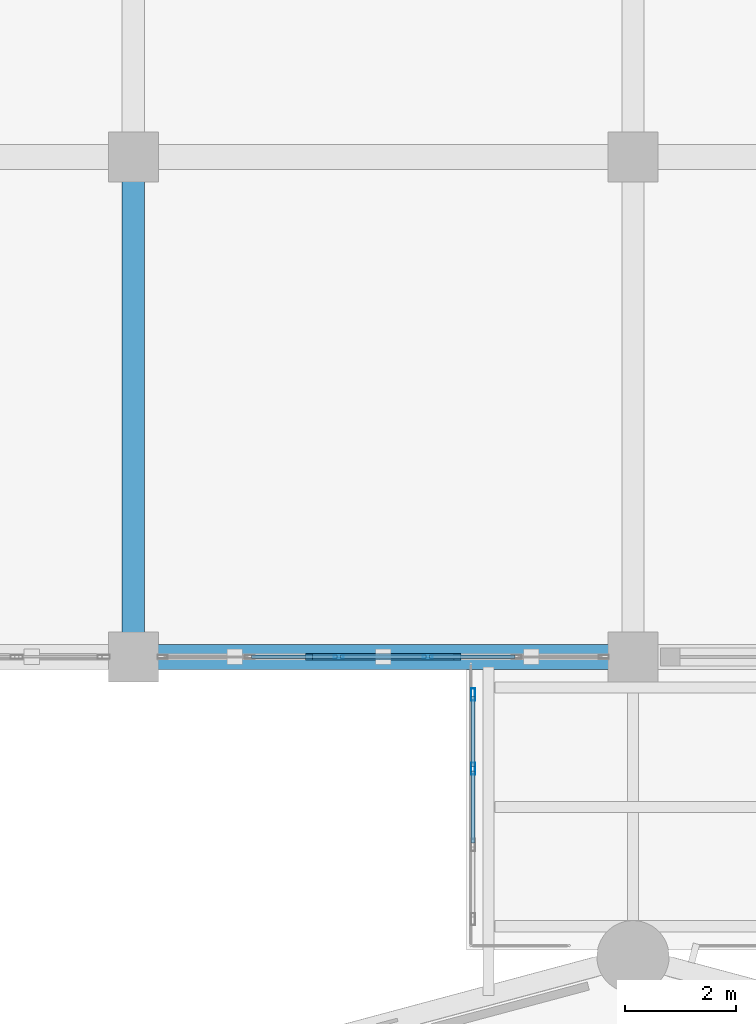
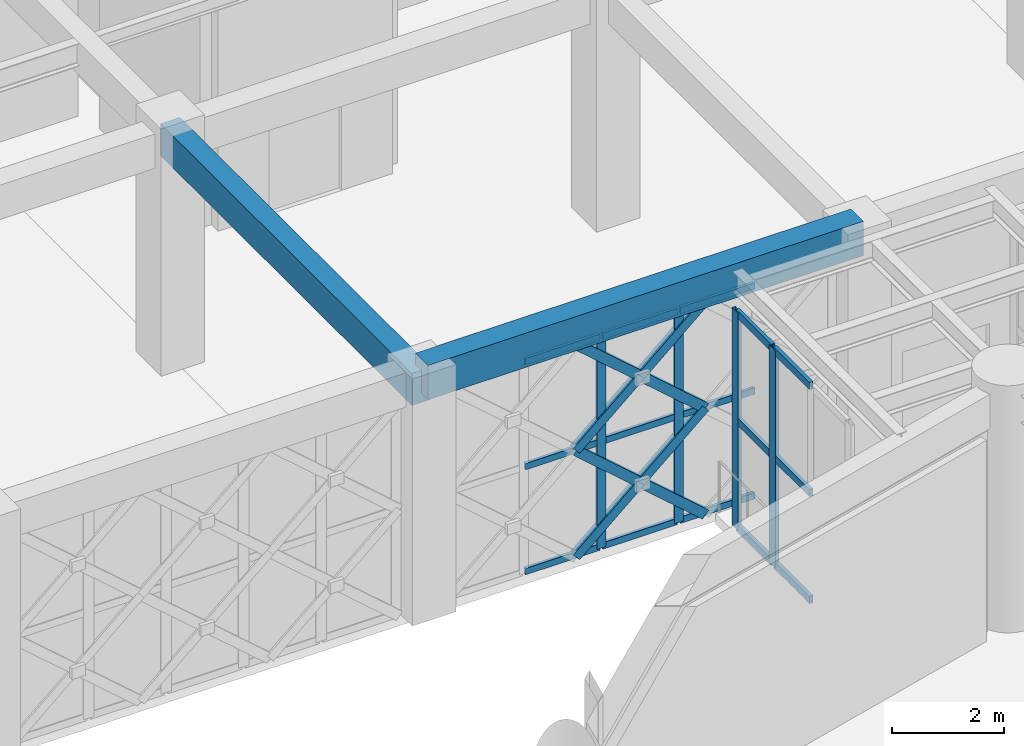
# One storey, part 71 of 155: 25 members, 2 beams, 2 elements without a shape of their own.
"""IFC4 building model written with IfcOpenShell, lengths in metres."""

from ifc_helpers import new_model, si_unit, direction, frame, origin, origin_2d, place, context, subcontext, project, spatial, rectangle, hollow_rectangle, extrude, material, material_profile, profile_set, type_object, element, aggregate, save


model = new_model("IFC4")

# Units and contexts
model_context = context("Model", 3, precision=1e-05, world=origin(), true_north=direction((0.0, 1.0)))
body_context = subcontext(model_context, "Body", "Model", "MODEL_VIEW")
ifc_project = project(units=[si_unit("LENGTHUNIT", "METRE"), si_unit("AREAUNIT", "SQUARE_METRE"), si_unit("VOLUMEUNIT", "CUBIC_METRE"), si_unit("PLANEANGLEUNIT", "RADIAN"), si_unit("MASSUNIT", "GRAM", prefix="KILO")], contexts=[model_context])

# Site, building, storey
site_placement = place(None, origin())
site = spatial("IfcSite", under=ifc_project, at=site_placement, CompositionType="ELEMENT")
building_placement = place(site_placement, origin())
building = spatial("IfcBuilding", under=site, at=building_placement, Name="Haizhuo Lancet Aquarium", CompositionType="ELEMENT")
storey_placement = place(building_placement, frame((0.0, 0.0, 10.800048828125)))
storey = spatial("IfcBuildingStorey", under=building, at=storey_placement, Name="L02", CompositionType="ELEMENT", Elevation=10.800048828125)

# Beams
ifc_material_1 = material(Name="Concrete C40/50", Category="concrete")
ifc_material_profile_1 = material_profile(ifc_material_1, rectangle(XDim=0.39990234375, YDim=0.699951171875, at=origin_2d()), Name="RC-BM 400x700")
ifc_profile_set_1 = profile_set([ifc_material_profile_1], Name="Concrete C40/50")
beam_type_1 = type_object("IfcBeamType", Name="BM-RC-400x700", PredefinedType="BEAM", material=ifc_profile_set_1)
beam_1_placement = place(storey_placement, frame((-9.0, 27.0, 4.81005859375), z_axis=(0.0, 1.0, 0.0), x_axis=(-1.0, 0.0, 0.0)))
element("IfcBeam", 1, at=beam_1_placement, inside=storey, type_object=beam_type_1, Name="L02 V5 primary girder BM-L02-V5-010", PredefinedType="BEAM", context=body_context, shape_type="SweptSolid", body=[
    extrude(rectangle(XDim=0.39990234375, YDim=0.699951171875, at=origin_2d()), origin(), (0.0, 0.0, 1.0), 9.0),
])
ifc_material_profile_2 = material_profile(ifc_material_1, rectangle(XDim=0.449951171875, YDim=0.75, at=origin_2d()), Name="RC-BM 450x750")
ifc_profile_set_2 = profile_set([ifc_material_profile_2], Name="Concrete C40/50")
beam_type_2 = type_object("IfcBeamType", Name="BM-RC-450x750", PredefinedType="BEAM", material=ifc_profile_set_2)
beam_2_placement = place(storey_placement, frame((-9.0, 27.0, 5.02490234375), z_axis=(1.0, 0.0, 0.0), x_axis=(0.0, 1.0, 0.0)))
element("IfcBeam", 2, at=beam_2_placement, inside=storey, type_object=beam_type_2, Name="L02 V5 primary girder BM-L02-V5-011", PredefinedType="BEAM", context=body_context, shape_type="SweptSolid", body=[
    extrude(rectangle(XDim=0.449951171875, YDim=0.75, at=origin_2d()), origin(), (0.0, 0.0, 1.0), 9.0),
])

# Curtain wall, members
ifc_material_2 = material(Name="Aluminium 6063-T6", Category="aluminium")
curtain_wall_type_1 = type_object("IfcCurtainWallType", Name="CWO-8010x4650", PredefinedType="NOTDEFINED", material=ifc_material_2)
curtain_wall_1_placement = place(storey_placement, origin())
curtain_wall_1 = element("IfcCurtainWall", 3, at=curtain_wall_1_placement, inside=storey, type_object=curtain_wall_type_1, Name="L02 curtain wall CW-V5-L02-157", PredefinedType="NOTDEFINED")
ifc_material_profile_3 = material_profile(ifc_material_2, hollow_rectangle(XDim=0.06494140625, YDim=0.179931640625, WallThickness=0.00390625, at=origin_2d()), Name="ALU-M 65x180x4")
ifc_profile_set_3 = profile_set([ifc_material_profile_3], Name="Aluminium 6063-T6")
member_type_1 = type_object("IfcMemberType", Name="CW-MUL-1", PredefinedType="MULLION", material=ifc_profile_set_3)
member_1_placement = place(storey_placement, frame((-3.698974609375, 27.0, 0.0), z_axis=(0.0, 0.0, 1.0), x_axis=(0.0, -1.0, 0.0)))
member_1 = element("IfcMember", 4, at=member_1_placement, type_object=member_type_1, Name="CWO-80x46 mullion 3", PredefinedType="MULLION", context=body_context, shape_type="SweptSolid", body=[
    extrude(hollow_rectangle(XDim=0.06494140625, YDim=0.179931640625, WallThickness=0.00390625, at=origin_2d()), origin(), (0.0, 0.0, 1.0), 4.64990234375),
])
member_2_placement = place(storey_placement, frame((-5.301025390625, 27.0, 0.0), z_axis=(0.0, 0.0, 1.0), x_axis=(0.0, -1.0, 0.0)))
member_2 = element("IfcMember", 5, at=member_2_placement, type_object=member_type_1, Name="CWO-80x46 mullion 4", PredefinedType="MULLION", context=body_context, shape_type="SweptSolid", body=[
    extrude(hollow_rectangle(XDim=0.06494140625, YDim=0.179931640625, WallThickness=0.00390625, at=origin_2d()), origin(), (0.0, 0.0, 1.0), 4.64990234375),
])

curtain_wall_type_2 = type_object("IfcCurtainWallType", Name="CWO-4120x4750", PredefinedType="NOTDEFINED", material=ifc_material_2)
curtain_wall_2_placement = place(storey_placement, origin())
curtain_wall_2 = element("IfcCurtainWall", 6, at=curtain_wall_2_placement, inside=storey, type_object=curtain_wall_type_2, Name="L02 curtain wall CW-SB-03-W1", PredefinedType="NOTDEFINED")
ifc_material_profile_4 = material_profile(ifc_material_2, hollow_rectangle(XDim=0.074951171875, YDim=0.219970703125, WallThickness=0.0048828125, at=origin_2d()), Name="ALU-M 75x220x5")
ifc_profile_set_4 = profile_set([ifc_material_profile_4], Name="Aluminium 6063-T6")
member_type_2 = type_object("IfcMemberType", Name="CW-MUL-2", PredefinedType="MULLION", material=ifc_profile_set_4)
member_3_placement = place(storey_placement, frame((-2.8798828125, 24.987060546875, 0.0), z_axis=(0.0, 0.0, 1.0), x_axis=(-1.0, 0.0, 0.0)))
member_3 = element("IfcMember", 7, at=member_3_placement, type_object=member_type_2, Name="CWO-41x47 mullion 3", PredefinedType="MULLION", context=body_context, shape_type="SweptSolid", body=[
    extrude(hollow_rectangle(XDim=0.074951171875, YDim=0.219970703125, WallThickness=0.0048828125, at=origin_2d()), origin(), (0.0, 0.0, 1.0), 4.75),
])
member_4_placement = place(storey_placement, frame((-2.8798828125, 26.322021484375, 0.0), z_axis=(0.0, 0.0, 1.0), x_axis=(-1.0, 0.0, 0.0)))
member_4 = element("IfcMember", 8, at=member_4_placement, type_object=member_type_2, Name="CWO-41x47 mullion 4", PredefinedType="MULLION", context=body_context, shape_type="SweptSolid", body=[
    extrude(hollow_rectangle(XDim=0.074951171875, YDim=0.219970703125, WallThickness=0.0048828125, at=origin_2d()), origin(), (0.0, 0.0, 1.0), 4.75),
])

# Member
ifc_material_profile_5 = material_profile(ifc_material_2, hollow_rectangle(XDim=0.06494140625, YDim=0.139892578125, WallThickness=0.00390625, at=origin_2d()), Name="ALU-T 65x140x4")
ifc_profile_set_5 = profile_set([ifc_material_profile_5], Name="Aluminium 6063-T6")
member_type_3 = type_object("IfcMemberType", Name="CW-TRN-1", PredefinedType="NOTDEFINED", material=ifc_profile_set_5)
member_5_placement = place(storey_placement, frame((-2.1298828125, 27.0, 0.032958984375), z_axis=(-1.0, 0.0, 0.0), x_axis=(0.0, -1.0, 0.0)))
member_5 = element("IfcMember", 9, at=member_5_placement, type_object=member_type_3, Name="CWO-80x46 transom 2.1", ObjectType="TRANSOM", PredefinedType="USERDEFINED", context=body_context, shape_type="SweptSolid", body=[
    extrude(hollow_rectangle(XDim=0.06494140625, YDim=0.139892578125, WallThickness=0.00390625, at=origin_2d()), origin(), (0.0, 0.0, 1.0), 1.537109375),
])

member_6_placement = place(storey_placement, frame((-2.1298828125, 27.0, 2.324951171875), z_axis=(-1.0, 0.0, 0.0), x_axis=(0.0, -1.0, 0.0)))
member_6 = element("IfcMember", 10, at=member_6_placement, type_object=member_type_3, Name="CWO-80x46 transom 2.2", ObjectType="TRANSOM", PredefinedType="USERDEFINED", context=body_context, shape_type="SweptSolid", body=[
    extrude(hollow_rectangle(XDim=0.06494140625, YDim=0.139892578125, WallThickness=0.00390625, at=origin_2d()), origin(), (0.0, 0.0, 1.0), 1.537109375),
])

member_7_placement = place(storey_placement, frame((-2.1298828125, 27.0, 4.616943359375), z_axis=(-1.0, 0.0, 0.0), x_axis=(0.0, -1.0, 0.0)))
member_7 = element("IfcMember", 11, at=member_7_placement, type_object=member_type_3, Name="CWO-80x46 transom 2.3", ObjectType="TRANSOM", PredefinedType="USERDEFINED", context=body_context, shape_type="SweptSolid", body=[
    extrude(hollow_rectangle(XDim=0.06494140625, YDim=0.139892578125, WallThickness=0.00390625, at=origin_2d()), origin(), (0.0, 0.0, 1.0), 1.537109375),
])

member_8_placement = place(storey_placement, frame((-3.73193359375, 27.0, 0.032958984375), z_axis=(-1.0, 0.0, 0.0), x_axis=(0.0, -1.0, 0.0)))
member_8 = element("IfcMember", 12, at=member_8_placement, type_object=member_type_3, Name="CWO-80x46 transom 3.1", ObjectType="TRANSOM", PredefinedType="USERDEFINED", context=body_context, shape_type="SweptSolid", body=[
    extrude(hollow_rectangle(XDim=0.06494140625, YDim=0.139892578125, WallThickness=0.00390625, at=origin_2d()), origin(), (0.0, 0.0, 1.0), 1.537109375),
])

member_9_placement = place(storey_placement, frame((-3.73193359375, 27.0, 2.324951171875), z_axis=(-1.0, 0.0, 0.0), x_axis=(0.0, -1.0, 0.0)))
member_9 = element("IfcMember", 13, at=member_9_placement, type_object=member_type_3, Name="CWO-80x46 transom 3.2", ObjectType="TRANSOM", PredefinedType="USERDEFINED", context=body_context, shape_type="SweptSolid", body=[
    extrude(hollow_rectangle(XDim=0.06494140625, YDim=0.139892578125, WallThickness=0.00390625, at=origin_2d()), origin(), (0.0, 0.0, 1.0), 1.537109375),
])

member_10_placement = place(storey_placement, frame((-3.73193359375, 27.0, 4.616943359375), z_axis=(-1.0, 0.0, 0.0), x_axis=(0.0, -1.0, 0.0)))
member_10 = element("IfcMember", 14, at=member_10_placement, type_object=member_type_3, Name="CWO-80x46 transom 3.3", ObjectType="TRANSOM", PredefinedType="USERDEFINED", context=body_context, shape_type="SweptSolid", body=[
    extrude(hollow_rectangle(XDim=0.06494140625, YDim=0.139892578125, WallThickness=0.00390625, at=origin_2d()), origin(), (0.0, 0.0, 1.0), 1.537109375),
])

member_11_placement = place(storey_placement, frame((-5.333984375, 27.0, 0.032958984375), z_axis=(-1.0, 0.0, 0.0), x_axis=(0.0, -1.0, 0.0)))
member_11 = element("IfcMember", 15, at=member_11_placement, type_object=member_type_3, Name="CWO-80x46 transom 4.1", ObjectType="TRANSOM", PredefinedType="USERDEFINED", context=body_context, shape_type="SweptSolid", body=[
    extrude(hollow_rectangle(XDim=0.06494140625, YDim=0.139892578125, WallThickness=0.00390625, at=origin_2d()), origin(), (0.0, 0.0, 1.0), 1.537109375),
])

member_12_placement = place(storey_placement, frame((-5.333984375, 27.0, 2.324951171875), z_axis=(-1.0, 0.0, 0.0), x_axis=(0.0, -1.0, 0.0)))
member_12 = element("IfcMember", 16, at=member_12_placement, type_object=member_type_3, Name="CWO-80x46 transom 4.2", ObjectType="TRANSOM", PredefinedType="USERDEFINED", context=body_context, shape_type="SweptSolid", body=[
    extrude(hollow_rectangle(XDim=0.06494140625, YDim=0.139892578125, WallThickness=0.00390625, at=origin_2d()), origin(), (0.0, 0.0, 1.0), 1.537109375),
])

member_13_placement = place(storey_placement, frame((-5.333984375, 27.0, 4.616943359375), z_axis=(-1.0, 0.0, 0.0), x_axis=(0.0, -1.0, 0.0)))
member_13 = element("IfcMember", 17, at=member_13_placement, type_object=member_type_3, Name="CWO-80x46 transom 4.3", ObjectType="TRANSOM", PredefinedType="USERDEFINED", context=body_context, shape_type="SweptSolid", body=[
    extrude(hollow_rectangle(XDim=0.06494140625, YDim=0.139892578125, WallThickness=0.00390625, at=origin_2d()), origin(), (0.0, 0.0, 1.0), 1.537109375),
])

aggregate(curtain_wall_1, [member_1, member_2, member_5, member_6, member_7, member_8, member_9, member_10, member_11, member_12, member_13])

ifc_material_profile_6 = material_profile(ifc_material_2, hollow_rectangle(XDim=0.074951171875, YDim=0.159912109375, WallThickness=0.00390625, at=origin_2d()), Name="ALU-T 75x160x4")
ifc_profile_set_6 = profile_set([ifc_material_profile_6], Name="Aluminium 6063-T6")
member_type_4 = type_object("IfcMemberType", Name="CW-TRN-2", PredefinedType="NOTDEFINED", material=ifc_profile_set_6)
member_14_placement = place(storey_placement, frame((-2.8798828125, 23.65087890625, 0.037841796875), z_axis=(0.0, 1.0, 0.0), x_axis=(-1.0, 0.0, 0.0)))
member_14 = element("IfcMember", 18, at=member_14_placement, type_object=member_type_4, Name="CWO-41x47 transom 2.1", ObjectType="TRANSOM", PredefinedType="USERDEFINED", context=body_context, shape_type="SweptSolid", body=[
    extrude(hollow_rectangle(XDim=0.074951171875, YDim=0.159912109375, WallThickness=0.00390625, at=origin_2d()), origin(), (0.0, 0.0, 1.0), 1.298095703125),
])

member_15_placement = place(storey_placement, frame((-2.8798828125, 23.65087890625, 2.375), z_axis=(0.0, 1.0, 0.0), x_axis=(-1.0, 0.0, 0.0)))
member_15 = element("IfcMember", 19, at=member_15_placement, type_object=member_type_4, Name="CWO-41x47 transom 2.2", ObjectType="TRANSOM", PredefinedType="USERDEFINED", context=body_context, shape_type="SweptSolid", body=[
    extrude(hollow_rectangle(XDim=0.074951171875, YDim=0.159912109375, WallThickness=0.00390625, at=origin_2d()), origin(), (0.0, 0.0, 1.0), 1.298095703125),
])

member_16_placement = place(storey_placement, frame((-2.8798828125, 23.65087890625, 4.712890625), z_axis=(0.0, 1.0, 0.0), x_axis=(-1.0, 0.0, 0.0)))
member_16 = element("IfcMember", 20, at=member_16_placement, type_object=member_type_4, Name="CWO-41x47 transom 2.3", ObjectType="TRANSOM", PredefinedType="USERDEFINED", context=body_context, shape_type="SweptSolid", body=[
    extrude(hollow_rectangle(XDim=0.074951171875, YDim=0.159912109375, WallThickness=0.00390625, at=origin_2d()), origin(), (0.0, 0.0, 1.0), 1.298095703125),
])

member_17_placement = place(storey_placement, frame((-2.8798828125, 25.02392578125, 0.037841796875), z_axis=(0.0, 1.0, 0.0), x_axis=(-1.0, 0.0, 0.0)))
member_17 = element("IfcMember", 21, at=member_17_placement, type_object=member_type_4, Name="CWO-41x47 transom 3.1", ObjectType="TRANSOM", PredefinedType="USERDEFINED", context=body_context, shape_type="SweptSolid", body=[
    extrude(hollow_rectangle(XDim=0.074951171875, YDim=0.159912109375, WallThickness=0.00390625, at=origin_2d()), origin(), (0.0, 0.0, 1.0), 1.260986328125),
])

member_18_placement = place(storey_placement, frame((-2.8798828125, 25.02392578125, 2.375), z_axis=(0.0, 1.0, 0.0), x_axis=(-1.0, 0.0, 0.0)))
member_18 = element("IfcMember", 22, at=member_18_placement, type_object=member_type_4, Name="CWO-41x47 transom 3.2", ObjectType="TRANSOM", PredefinedType="USERDEFINED", context=body_context, shape_type="SweptSolid", body=[
    extrude(hollow_rectangle(XDim=0.074951171875, YDim=0.159912109375, WallThickness=0.00390625, at=origin_2d()), origin(), (0.0, 0.0, 1.0), 1.260986328125),
])

member_19_placement = place(storey_placement, frame((-2.8798828125, 25.02392578125, 4.712890625), z_axis=(0.0, 1.0, 0.0), x_axis=(-1.0, 0.0, 0.0)))
member_19 = element("IfcMember", 23, at=member_19_placement, type_object=member_type_4, Name="CWO-41x47 transom 3.3", ObjectType="TRANSOM", PredefinedType="USERDEFINED", context=body_context, shape_type="SweptSolid", body=[
    extrude(hollow_rectangle(XDim=0.074951171875, YDim=0.159912109375, WallThickness=0.00390625, at=origin_2d()), origin(), (0.0, 0.0, 1.0), 1.260986328125),
])

aggregate(curtain_wall_2, [member_3, member_4, member_14, member_15, member_16, member_17, member_18, member_19])

# Members
ifc_material_3 = material(Name="Steel S355", Category="steel")
ifc_material_profile_7 = material_profile(ifc_material_3, hollow_rectangle(XDim=0.1201171875, YDim=0.199951171875, WallThickness=0.008056640625, at=origin_2d()), Name="RHS 120x200x8")
ifc_profile_set_7 = profile_set([ifc_material_profile_7], Name="Steel S355")
member_type_5 = type_object("IfcMemberType", Name="MEM-LB-RHS120x200", PredefinedType="BRACE", material=ifc_profile_set_7)
member_20_placement = place(storey_placement, frame((-3.1650390625, 27.0, 0.0), z_axis=(-0.754146594137, 0.0, 0.656706109726), x_axis=(0.0, -1.0, 0.0)))
element("IfcMember", 24, at=member_20_placement, inside=storey, type_object=member_type_5, Name="Gothic lancet continuous diagonal brace CW-V5-L02-157 3A", PredefinedType="BRACE", context=body_context, shape_type="SweptSolid", body=[
    extrude(hollow_rectangle(XDim=0.1201171875, YDim=0.199951171875, WallThickness=0.008056640625, at=origin_2d()), origin(), (0.0, 0.0, 1.0), 3.540283203125),
])
member_21_placement = place(storey_placement, frame((-5.8349609375, 27.0, 0.0), z_axis=(0.754044141002, 0.0, 0.656823746085), x_axis=(0.0, 1.0, 0.0)))
element("IfcMember", 25, at=member_21_placement, inside=storey, type_object=member_type_5, Name="Gothic lancet split diagonal brace CW-V5-L02-157 3B1", PredefinedType="BRACE", context=body_context, shape_type="SweptSolid", body=[
    extrude(hollow_rectangle(XDim=0.1201171875, YDim=0.199951171875, WallThickness=0.008056640625, at=origin_2d()), origin(), (0.0, 0.0, 1.0), 1.7705078125),
])
member_22_placement = place(storey_placement, frame((-4.5, 27.0, 1.162841796875), z_axis=(0.754249056755, 0.0, 0.656588425412), x_axis=(0.0, 1.0, 0.0)))
element("IfcMember", 26, at=member_22_placement, inside=storey, type_object=member_type_5, Name="Gothic lancet split diagonal brace CW-V5-L02-157 3B2", PredefinedType="BRACE", context=body_context, shape_type="SweptSolid", body=[
    extrude(hollow_rectangle(XDim=0.1201171875, YDim=0.199951171875, WallThickness=0.008056640625, at=origin_2d()), origin(), (0.0, 0.0, 1.0), 1.77001953125),
])
member_23_placement = place(storey_placement, frame((-3.1650390625, 27.0, 2.324951171875), z_axis=(-0.754146594137, 0.0, 0.656706109726), x_axis=(0.0, -1.0, 0.0)))
element("IfcMember", 27, at=member_23_placement, inside=storey, type_object=member_type_5, Name="Gothic lancet continuous diagonal brace CW-V5-L02-157 4A", PredefinedType="BRACE", context=body_context, shape_type="SweptSolid", body=[
    extrude(hollow_rectangle(XDim=0.1201171875, YDim=0.199951171875, WallThickness=0.008056640625, at=origin_2d()), origin(), (0.0, 0.0, 1.0), 3.540283203125),
])
member_24_placement = place(storey_placement, frame((-5.8349609375, 27.0, 2.324951171875), z_axis=(0.754249056755, 0.0, 0.656588425412), x_axis=(0.0, 1.0, 0.0)))
element("IfcMember", 28, at=member_24_placement, inside=storey, type_object=member_type_5, Name="Gothic lancet split diagonal brace CW-V5-L02-157 4B1", PredefinedType="BRACE", context=body_context, shape_type="SweptSolid", body=[
    extrude(hollow_rectangle(XDim=0.1201171875, YDim=0.199951171875, WallThickness=0.008056640625, at=origin_2d()), origin(), (0.0, 0.0, 1.0), 1.77001953125),
])
member_25_placement = place(storey_placement, frame((-4.5, 27.0, 3.487060546875), z_axis=(0.754044141002, 0.0, 0.656823746085), x_axis=(0.0, 1.0, 0.0)))
element("IfcMember", 29, at=member_25_placement, inside=storey, type_object=member_type_5, Name="Gothic lancet split diagonal brace CW-V5-L02-157 4B2", PredefinedType="BRACE", context=body_context, shape_type="SweptSolid", body=[
    extrude(hollow_rectangle(XDim=0.1201171875, YDim=0.199951171875, WallThickness=0.008056640625, at=origin_2d()), origin(), (0.0, 0.0, 1.0), 1.7705078125),
])

save(model, "model.ifc")
